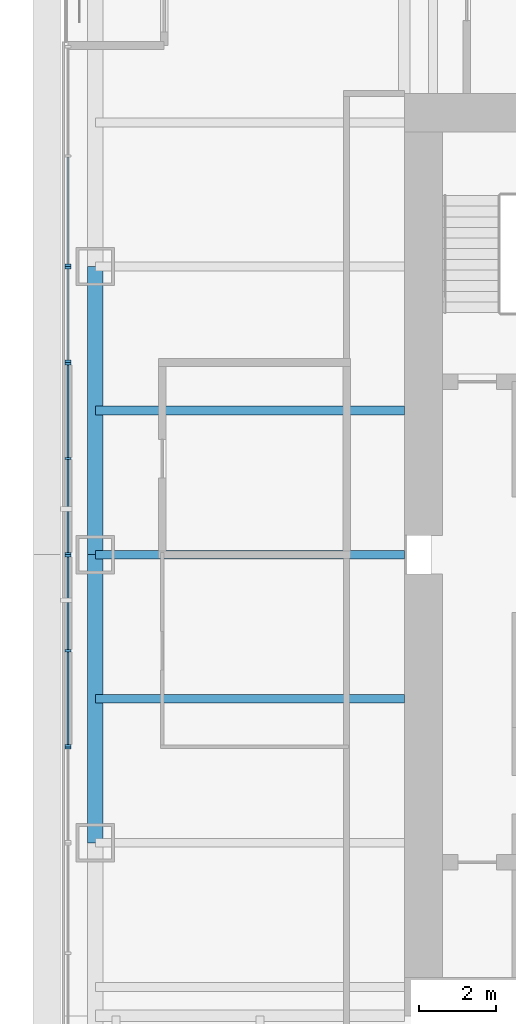
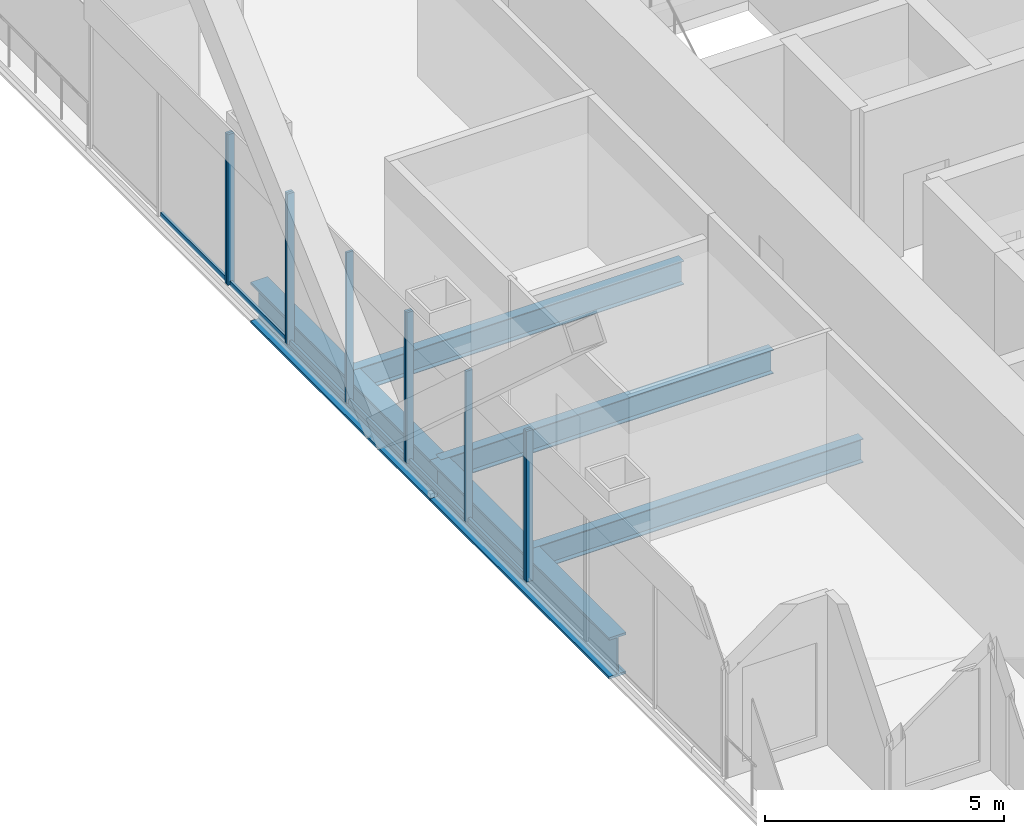
# One storey, part 5 of 17: 16 members, 5 beams, 5 elements without a shape of their own.
"""IFC4 building model written with IfcOpenShell, lengths in metres."""

from ifc_helpers import new_model, si_unit, direction, frame, origin, origin_2d, place, context, subcontext, project, spatial, rectangle, i_section, extrude, material, material_profile, profile_set, type_object, element, aggregate, save


model = new_model("IFC4")

# Units and contexts
model_context = context("Model", 3, precision=1e-05, world=origin(), true_north=direction((0.0, 1.0)))
body_context = subcontext(model_context, "Body", "Model", "MODEL_VIEW")
ifc_project = project(units=[si_unit("LENGTHUNIT", "METRE"), si_unit("AREAUNIT", "SQUARE_METRE"), si_unit("VOLUMEUNIT", "CUBIC_METRE"), si_unit("PLANEANGLEUNIT", "RADIAN"), si_unit("MASSUNIT", "GRAM", prefix="KILO")], contexts=[model_context])

# Site, building, storey
site_placement = place(None, origin())
site = spatial("IfcSite", under=ifc_project, at=site_placement, CompositionType="ELEMENT")
building_placement = place(site_placement, origin())
building = spatial("IfcBuilding", under=site, at=building_placement, Name="Tarangal Relay Tower", CompositionType="ELEMENT")
storey_placement = place(building_placement, frame((0.0, 0.0, 315.89990234375)))
storey = spatial("IfcBuildingStorey", under=building, at=storey_placement, Name="L70", CompositionType="ELEMENT", Elevation=315.89990234375)

# Beams
ifc_material_1 = material(Name="Steel ASTM A992", Category="steel")
ifc_material_profile_1 = material_profile(ifc_material_1, i_section(OverallWidth=0.41162109375, OverallDepth=1.049072265625, WebThickness=0.033935546875, FlangeThickness=0.059814453125, at=origin_2d()), Name="W40X431")
ifc_profile_set_1 = profile_set([ifc_material_profile_1], Name="Steel ASTM A992")
beam_type_1 = type_object("IfcBeamType", Name="Edge girder W40X431", PredefinedType="SPANDREL", material=ifc_profile_set_1)
for number, where, z_axis, x_axis, name in (
    (1, (-20.0400390625, -7.5, -0.67431640625), (0.0, 1.0, 0.0), (-1.0, 0.0, 0.0), "Edge girder EG1 W L70"),
    (2, (-20.0400390625, 0.0, -0.67431640625), (0.0, 1.0, 0.0), (-1.0, 0.0, 0.0), "Edge girder EG1 W L70"),
):
    element("IfcBeam", number, at=place(storey_placement, frame(where, z_axis=z_axis, x_axis=x_axis)), inside=storey, type_object=beam_type_1, Name=name, PredefinedType="SPANDREL", context=body_context, shape_type="SweptSolid", body=[
        extrude(i_section(OverallWidth=0.41162109375, OverallDepth=1.049072265625, WebThickness=0.033935546875, FlangeThickness=0.059814453125, at=origin_2d()), origin(), (0.0, 0.0, 1.0), 7.5),
    ])
ifc_material_profile_2 = material_profile(ifc_material_1, i_section(OverallWidth=0.228271484375, OverallDepth=0.607177734375, WebThickness=0.01123046875, FlangeThickness=0.017333984375, at=origin_2d()), Name="W24X76")
ifc_profile_set_2 = profile_set([ifc_material_profile_2], Name="Steel ASTM A992")
beam_type_2 = type_object("IfcBeamType", Name="Floor beam W24X76", PredefinedType="BEAM", material=ifc_profile_set_2)
for number, where, z_axis, x_axis, name in (
    (3, (-12.0, -3.75, -0.453369140625), (-1.0, 0.0, 0.0), (0.0, -1.0, 0.0), "Floor beam RB5 W L70"),
    (4, (-12.0, 0.0, -0.453369140625), (-1.0, 0.0, 0.0), (0.0, -1.0, 0.0), "Floor beam RB5 W L70"),
    (5, (-12.0, 3.75, -0.453369140625), (-1.0, 0.0, 0.0), (0.0, -1.0, 0.0), "Floor beam RB5 W L70"),
):
    element("IfcBeam", number, at=place(storey_placement, frame(where, z_axis=z_axis, x_axis=x_axis)), inside=storey, type_object=beam_type_2, Name=name, PredefinedType="BEAM", context=body_context, shape_type="SweptSolid", body=[
        extrude(i_section(OverallWidth=0.228271484375, OverallDepth=0.607177734375, WebThickness=0.01123046875, FlangeThickness=0.017333984375, at=origin_2d()), origin(), (0.0, 0.0, 1.0), 8.0400390625),
    ])

# Curtain wall, member
ifc_material_2 = material(Name="Unitised curtain wall, dark glass and black aluminium", Category="aluminium")
curtain_wall_type_1 = type_object("IfcCurtainWallType", Name="Curtain wall CW-B", PredefinedType="USERDEFINED", material=ifc_material_2)
curtain_wall_1_placement = place(storey_placement, origin())
curtain_wall_1 = element("IfcCurtainWall", 6, at=curtain_wall_1_placement, inside=storey, type_object=curtain_wall_type_1, Name="Curtain wall CW-B W facade L70", ObjectType="UNITISED CURTAIN WALL", PredefinedType="USERDEFINED")
ifc_material_3 = material(Name="Black anodised aluminium mullion", Category="aluminium")
ifc_material_profile_3 = material_profile(ifc_material_3, rectangle(XDim=0.159912109375, YDim=0.06005859375, at=origin_2d()), Name="CW-BM 60X160")
ifc_profile_set_3 = profile_set([ifc_material_profile_3], Name="Black anodised aluminium mullion")
member_type_1 = type_object("IfcMemberType", Name="Mullion CW-B 60 x 160", PredefinedType="MULLION", material=ifc_profile_set_3)
member_1_placement = place(storey_placement, frame((-20.75, -5.030029296875, 0.0), z_axis=(0.0, 0.0, 1.0), x_axis=(-1.0, 0.0, 0.0)))
member_1 = element("IfcMember", 7, at=member_1_placement, type_object=member_type_1, Name="CW-B mullion 2", PredefinedType="MULLION", context=body_context, shape_type="SweptSolid", body=[
    extrude(rectangle(XDim=0.159912109375, YDim=0.06005859375, at=origin_2d()), origin(), (0.0, 0.0, 1.0), 3.85009765625),
])
aggregate(curtain_wall_1, [member_1])

# Curtain wall, members
curtain_wall_2_placement = place(storey_placement, origin())
curtain_wall_2 = element("IfcCurtainWall", 8, at=curtain_wall_2_placement, inside=storey, type_object=curtain_wall_type_1, Name="Curtain wall CW-B W facade L70", ObjectType="UNITISED CURTAIN WALL", PredefinedType="USERDEFINED")
member_2_placement = place(storey_placement, frame((-20.75, 5.030029296875, 0.0), z_axis=(0.0, 0.0, 1.0), x_axis=(-1.0, 0.0, 0.0)))
member_2 = element("IfcMember", 9, at=member_2_placement, type_object=member_type_1, Name="CW-B mullion 1", PredefinedType="MULLION", context=body_context, shape_type="SweptSolid", body=[
    extrude(rectangle(XDim=0.159912109375, YDim=0.06005859375, at=origin_2d()), origin(), (0.0, 0.0, 1.0), 3.85009765625),
])
member_3_placement = place(storey_placement, frame((-20.75, 7.469970703125, 0.0), z_axis=(0.0, 0.0, 1.0), x_axis=(-1.0, 0.0, 0.0)))
member_3 = element("IfcMember", 10, at=member_3_placement, type_object=member_type_1, Name="CW-B mullion 2", PredefinedType="MULLION", context=body_context, shape_type="SweptSolid", body=[
    extrude(rectangle(XDim=0.159912109375, YDim=0.06005859375, at=origin_2d()), origin(), (0.0, 0.0, 1.0), 3.85009765625),
])

# Curtain wall, member
curtain_wall_3_placement = place(storey_placement, origin())
curtain_wall_3 = element("IfcCurtainWall", 11, at=curtain_wall_3_placement, inside=storey, type_object=curtain_wall_type_1, Name="Curtain wall CW-B W facade L70", ObjectType="UNITISED CURTAIN WALL", PredefinedType="USERDEFINED")
member_4_placement = place(storey_placement, frame((-20.75, 7.530029296875, 0.0), z_axis=(0.0, 0.0, 1.0), x_axis=(-1.0, 0.0, 0.0)))
member_4 = element("IfcMember", 12, at=member_4_placement, type_object=member_type_1, Name="CW-B mullion 1", PredefinedType="MULLION", context=body_context, shape_type="SweptSolid", body=[
    extrude(rectangle(XDim=0.159912109375, YDim=0.06005859375, at=origin_2d()), origin(), (0.0, 0.0, 1.0), 3.85009765625),
])

# Curtain wall, members
ifc_material_4 = material(Name="Unitised curtain wall frame, black aluminium, with metal clad infill walls", Category="aluminium")
curtain_wall_type_2 = type_object("IfcCurtainWallType", Name="Curtain wall CW-BO", PredefinedType="USERDEFINED", material=ifc_material_4)
curtain_wall_4_placement = place(storey_placement, origin())
curtain_wall_4 = element("IfcCurtainWall", 13, at=curtain_wall_4_placement, inside=storey, type_object=curtain_wall_type_2, Name="Curtain wall CW-BO W facade L70", ObjectType="UNITISED CURTAIN WALL", PredefinedType="USERDEFINED")
ifc_material_profile_4 = material_profile(ifc_material_3, rectangle(XDim=0.159912109375, YDim=0.06005859375, at=origin_2d()), Name="CW-BOM 60X160")
ifc_profile_set_4 = profile_set([ifc_material_profile_4], Name="Black anodised aluminium mullion")
member_type_2 = type_object("IfcMemberType", Name="Mullion CW-BO 60 x 160", PredefinedType="MULLION", material=ifc_profile_set_4)
member_5_placement = place(storey_placement, frame((-20.75, -4.969970703125, 0.0), z_axis=(0.0, 0.0, 1.0), x_axis=(-1.0, 0.0, 0.0)))
member_5 = element("IfcMember", 14, at=member_5_placement, type_object=member_type_2, Name="CW-BO mullion 1", PredefinedType="MULLION", context=body_context, shape_type="SweptSolid", body=[
    extrude(rectangle(XDim=0.159912109375, YDim=0.06005859375, at=origin_2d()), origin(), (0.0, 0.0, 1.0), 3.85009765625),
])
member_6_placement = place(storey_placement, frame((-20.75, -2.5, 0.0), z_axis=(0.0, 0.0, 1.0), x_axis=(-1.0, 0.0, 0.0)))
member_6 = element("IfcMember", 15, at=member_6_placement, type_object=member_type_2, Name="CW-BO mullion 2", PredefinedType="MULLION", context=body_context, shape_type="SweptSolid", body=[
    extrude(rectangle(XDim=0.159912109375, YDim=0.06005859375, at=origin_2d()), origin(), (0.0, 0.0, 1.0), 3.85009765625),
])
member_7_placement = place(storey_placement, frame((-20.75, -0.030029296875, 0.0), z_axis=(0.0, 0.0, 1.0), x_axis=(-1.0, 0.0, 0.0)))
member_7 = element("IfcMember", 16, at=member_7_placement, type_object=member_type_2, Name="CW-BO mullion 3", PredefinedType="MULLION", context=body_context, shape_type="SweptSolid", body=[
    extrude(rectangle(XDim=0.159912109375, YDim=0.06005859375, at=origin_2d()), origin(), (0.0, 0.0, 1.0), 3.85009765625),
])

curtain_wall_5_placement = place(storey_placement, origin())
curtain_wall_5 = element("IfcCurtainWall", 17, at=curtain_wall_5_placement, inside=storey, type_object=curtain_wall_type_2, Name="Curtain wall CW-BO W facade L70", ObjectType="UNITISED CURTAIN WALL", PredefinedType="USERDEFINED")
member_8_placement = place(storey_placement, frame((-20.75, 0.030029296875, 0.0), z_axis=(0.0, 0.0, 1.0), x_axis=(-1.0, 0.0, 0.0)))
member_8 = element("IfcMember", 18, at=member_8_placement, type_object=member_type_2, Name="CW-BO mullion 1", PredefinedType="MULLION", context=body_context, shape_type="SweptSolid", body=[
    extrude(rectangle(XDim=0.159912109375, YDim=0.06005859375, at=origin_2d()), origin(), (0.0, 0.0, 1.0), 3.85009765625),
])
member_9_placement = place(storey_placement, frame((-20.75, 2.5, 0.0), z_axis=(0.0, 0.0, 1.0), x_axis=(-1.0, 0.0, 0.0)))
member_9 = element("IfcMember", 19, at=member_9_placement, type_object=member_type_2, Name="CW-BO mullion 2", PredefinedType="MULLION", context=body_context, shape_type="SweptSolid", body=[
    extrude(rectangle(XDim=0.159912109375, YDim=0.06005859375, at=origin_2d()), origin(), (0.0, 0.0, 1.0), 3.85009765625),
])
member_10_placement = place(storey_placement, frame((-20.75, 4.969970703125, 0.0), z_axis=(0.0, 0.0, 1.0), x_axis=(-1.0, 0.0, 0.0)))
member_10 = element("IfcMember", 20, at=member_10_placement, type_object=member_type_2, Name="CW-BO mullion 3", PredefinedType="MULLION", context=body_context, shape_type="SweptSolid", body=[
    extrude(rectangle(XDim=0.159912109375, YDim=0.06005859375, at=origin_2d()), origin(), (0.0, 0.0, 1.0), 3.85009765625),
])

# Member
ifc_material_5 = material(Name="Black anodised aluminium transom", Category="aluminium")
ifc_material_profile_5 = material_profile(ifc_material_5, rectangle(XDim=0.06005859375, YDim=0.1298828125, at=origin_2d()), Name="CW-BT 60X130")
ifc_profile_set_5 = profile_set([ifc_material_profile_5], Name="Black anodised aluminium transom")
member_type_3 = type_object("IfcMemberType", Name="Transom CW-B 60 x 130", PredefinedType="USERDEFINED", material=ifc_profile_set_5)
member_11_placement = place(storey_placement, frame((-20.75, 5.06005859375, 0.030029296875), z_axis=(0.0, 1.0, 0.0), x_axis=(-1.0, 0.0, 0.0)))
member_11 = element("IfcMember", 21, at=member_11_placement, type_object=member_type_3, Name="CW-B transom 1.1", ObjectType="TRANSOM", PredefinedType="USERDEFINED", context=body_context, shape_type="SweptSolid", body=[
    extrude(rectangle(XDim=0.06005859375, YDim=0.1298828125, at=origin_2d()), origin(), (0.0, 0.0, 1.0), 2.3798828125),
])

aggregate(curtain_wall_2, [member_2, member_3, member_11])

member_12_placement = place(storey_placement, frame((-20.75, 7.56005859375, 0.030029296875), z_axis=(0.0, 1.0, 0.0), x_axis=(-1.0, 0.0, 0.0)))
member_12 = element("IfcMember", 22, at=member_12_placement, type_object=member_type_3, Name="CW-B transom 1.1", ObjectType="TRANSOM", PredefinedType="USERDEFINED", context=body_context, shape_type="SweptSolid", body=[
    extrude(rectangle(XDim=0.06005859375, YDim=0.1298828125, at=origin_2d()), origin(), (0.0, 0.0, 1.0), 2.784912109375),
])

aggregate(curtain_wall_3, [member_4, member_12])

ifc_material_profile_6 = material_profile(ifc_material_5, rectangle(XDim=0.06005859375, YDim=0.1298828125, at=origin_2d()), Name="CW-BOT 60X130")
ifc_profile_set_6 = profile_set([ifc_material_profile_6], Name="Black anodised aluminium transom")
member_type_4 = type_object("IfcMemberType", Name="Transom CW-BO 60 x 130", PredefinedType="USERDEFINED", material=ifc_profile_set_6)
member_13_placement = place(storey_placement, frame((-20.75, -4.93994140625, 0.030029296875), z_axis=(0.0, 1.0, 0.0), x_axis=(-1.0, 0.0, 0.0)))
member_13 = element("IfcMember", 23, at=member_13_placement, type_object=member_type_4, Name="CW-BO transom 1.1", ObjectType="TRANSOM", PredefinedType="USERDEFINED", context=body_context, shape_type="SweptSolid", body=[
    extrude(rectangle(XDim=0.06005859375, YDim=0.1298828125, at=origin_2d()), origin(), (0.0, 0.0, 1.0), 2.409912109375),
])

member_14_placement = place(storey_placement, frame((-20.75, -2.469970703125, 0.030029296875), z_axis=(0.0, 1.0, 0.0), x_axis=(-1.0, 0.0, 0.0)))
member_14 = element("IfcMember", 24, at=member_14_placement, type_object=member_type_4, Name="CW-BO transom 2.1", ObjectType="TRANSOM", PredefinedType="USERDEFINED", context=body_context, shape_type="SweptSolid", body=[
    extrude(rectangle(XDim=0.06005859375, YDim=0.1298828125, at=origin_2d()), origin(), (0.0, 0.0, 1.0), 2.409912109375),
])

aggregate(curtain_wall_4, [member_5, member_6, member_7, member_13, member_14])

member_15_placement = place(storey_placement, frame((-20.75, 0.06005859375, 0.030029296875), z_axis=(0.0, 1.0, 0.0), x_axis=(-1.0, 0.0, 0.0)))
member_15 = element("IfcMember", 25, at=member_15_placement, type_object=member_type_4, Name="CW-BO transom 1.1", ObjectType="TRANSOM", PredefinedType="USERDEFINED", context=body_context, shape_type="SweptSolid", body=[
    extrude(rectangle(XDim=0.06005859375, YDim=0.1298828125, at=origin_2d()), origin(), (0.0, 0.0, 1.0), 2.409912109375),
])

member_16_placement = place(storey_placement, frame((-20.75, 2.530029296875, 0.030029296875), z_axis=(0.0, 1.0, 0.0), x_axis=(-1.0, 0.0, 0.0)))
member_16 = element("IfcMember", 26, at=member_16_placement, type_object=member_type_4, Name="CW-BO transom 2.1", ObjectType="TRANSOM", PredefinedType="USERDEFINED", context=body_context, shape_type="SweptSolid", body=[
    extrude(rectangle(XDim=0.06005859375, YDim=0.1298828125, at=origin_2d()), origin(), (0.0, 0.0, 1.0), 2.409912109375),
])

aggregate(curtain_wall_5, [member_8, member_9, member_10, member_15, member_16])

save(model, "model.ifc")
